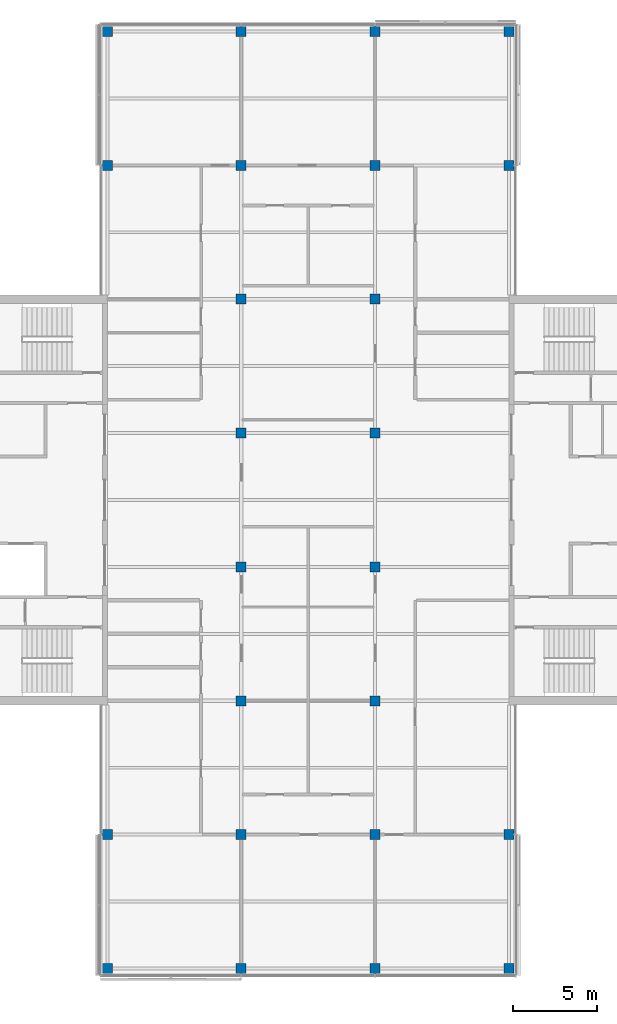
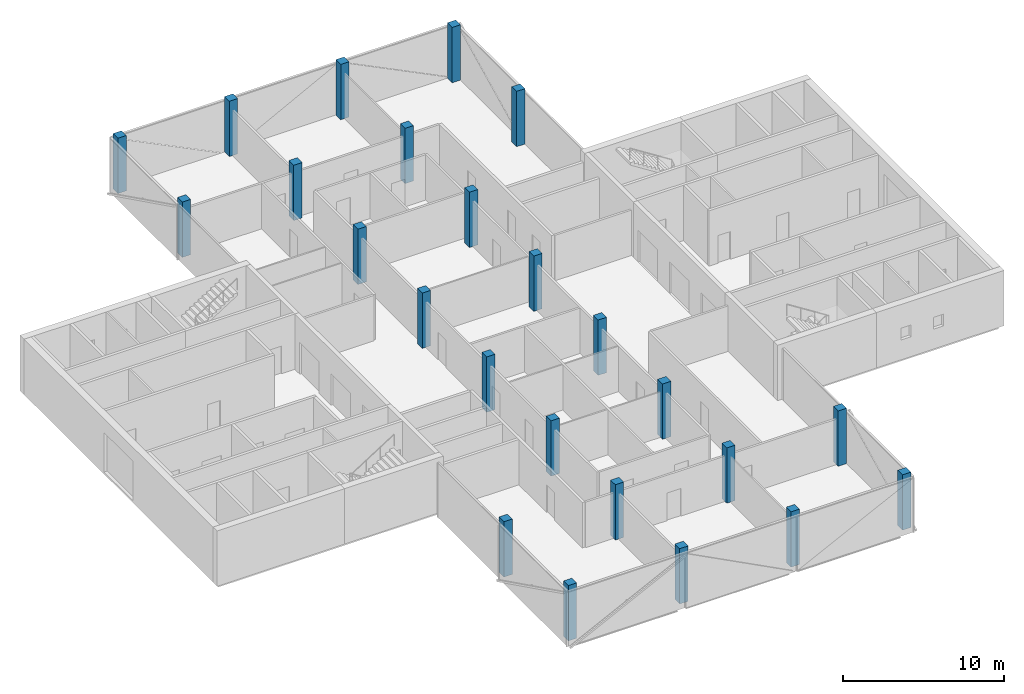
# One storey, part 1 of 16: 24 columns.
"""IFC4 building model written with IfcOpenShell, lengths in metres."""

from ifc_helpers import new_model, si_unit, direction, frame, origin, origin_2d, place, context, subcontext, project, spatial, rectangle, extrude, material, material_profile, profile_set, type_object, element, save


model = new_model("IFC4")

# Units and contexts
model_context = context("Model", 3, precision=1e-05, world=origin(), true_north=direction((0.0, 1.0)))
body_context = subcontext(model_context, "Body", "Model", "MODEL_VIEW")
ifc_project = project(units=[si_unit("LENGTHUNIT", "METRE"), si_unit("AREAUNIT", "SQUARE_METRE"), si_unit("VOLUMEUNIT", "CUBIC_METRE"), si_unit("PLANEANGLEUNIT", "RADIAN"), si_unit("MASSUNIT", "GRAM", prefix="KILO")], contexts=[model_context])

# Site, building, storey
site_placement = place(None, origin())
site = spatial("IfcSite", under=ifc_project, at=site_placement, CompositionType="ELEMENT")
building_placement = place(site_placement, origin())
building = spatial("IfcBuilding", under=site, at=building_placement, Name="Crosswind Convention Tower", CompositionType="ELEMENT")
storey_placement = place(building_placement, frame((0.0, 0.0, 340.699951171875)))
storey = spatial("IfcBuildingStorey", under=building, at=storey_placement, Name="L74", CompositionType="ELEMENT", Elevation=340.699951171875)

# Columns
ifc_material = material(Name="Concrete C60/75", Category="concrete")
ifc_material_profile = material_profile(ifc_material, rectangle(XDim=0.60009765625, YDim=0.60009765625, at=origin_2d()), Name="RC 600X600")
ifc_profile_set = profile_set([ifc_material_profile], Name="Concrete C60/75")
column_type = type_object("IfcColumnType", Name="Column RC 600X600", PredefinedType="COLUMN", material=ifc_profile_set)
for number, where, z_axis, x_axis, name in (
    (1, (113.0, 72.0, 0.0), (0.0, 0.0, 1.0), (1.0, 0.0, 0.0), "C16 L74 5/C"),
    (2, (113.0, 80.0, 0.0), (0.0, 0.0, 1.0), (1.0, 0.0, 0.0), "C16 L74 5/D"),
    (3, (113.0, 120.0, 0.0), (0.0, 0.0, 1.0), (1.0, 0.0, 0.0), "C16 L74 5/I"),
    (4, (113.0, 128.0, 0.0), (0.0, 0.0, 1.0), (1.0, 0.0, 0.0), "C16 L74 5/J"),
    (5, (121.0, 72.0, 0.0), (0.0, 0.0, 1.0), (1.0, 0.0, 0.0), "C16 L74 6/C"),
    (6, (121.0, 80.0, 0.0), (0.0, 0.0, 1.0), (1.0, 0.0, 0.0), "C16 L74 6/D"),
    (7, (121.0, 88.0, 0.0), (0.0, 0.0, 1.0), (1.0, 0.0, 0.0), "C16 L74 6/E"),
    (8, (121.0, 96.0, 0.0), (0.0, 0.0, 1.0), (1.0, 0.0, 0.0), "C16 L74 6/F"),
    (9, (121.0, 104.0, 0.0), (0.0, 0.0, 1.0), (1.0, 0.0, 0.0), "C16 L74 6/G"),
    (10, (121.0, 112.0, 0.0), (0.0, 0.0, 1.0), (1.0, 0.0, 0.0), "C16 L74 6/H"),
    (11, (121.0, 120.0, 0.0), (0.0, 0.0, 1.0), (1.0, 0.0, 0.0), "C16 L74 6/I"),
    (12, (121.0, 128.0, 0.0), (0.0, 0.0, 1.0), (1.0, 0.0, 0.0), "C16 L74 6/J"),
    (13, (129.0, 72.0, 0.0), (0.0, 0.0, 1.0), (1.0, 0.0, 0.0), "C16 L74 7/C"),
    (14, (129.0, 80.0, 0.0), (0.0, 0.0, 1.0), (1.0, 0.0, 0.0), "C16 L74 7/D"),
    (15, (129.0, 88.0, 0.0), (0.0, 0.0, 1.0), (1.0, 0.0, 0.0), "C16 L74 7/E"),
    (16, (129.0, 96.0, 0.0), (0.0, 0.0, 1.0), (1.0, 0.0, 0.0), "C16 L74 7/F"),
    (17, (129.0, 104.0, 0.0), (0.0, 0.0, 1.0), (1.0, 0.0, 0.0), "C16 L74 7/G"),
    (18, (129.0, 112.0, 0.0), (0.0, 0.0, 1.0), (1.0, 0.0, 0.0), "C16 L74 7/H"),
    (19, (129.0, 120.0, 0.0), (0.0, 0.0, 1.0), (1.0, 0.0, 0.0), "C16 L74 7/I"),
    (20, (129.0, 128.0, 0.0), (0.0, 0.0, 1.0), (1.0, 0.0, 0.0), "C16 L74 7/J"),
    (21, (137.0, 72.0, 0.0), (0.0, 0.0, 1.0), (1.0, 0.0, 0.0), "C16 L74 8/C"),
    (22, (137.0, 80.0, 0.0), (0.0, 0.0, 1.0), (1.0, 0.0, 0.0), "C16 L74 8/D"),
    (23, (137.0, 120.0, 0.0), (0.0, 0.0, 1.0), (1.0, 0.0, 0.0), "C16 L74 8/I"),
    (24, (137.0, 128.0, 0.0), (0.0, 0.0, 1.0), (1.0, 0.0, 0.0), "C16 L74 8/J"),
):
    element("IfcColumn", number, at=place(storey_placement, frame(where, z_axis=z_axis, x_axis=x_axis)), inside=storey, type_object=column_type, Name=name, PredefinedType="COLUMN", context=body_context, shape_type="SweptSolid", body=[
        extrude(rectangle(XDim=0.60009765625, YDim=0.60009765625, at=origin_2d()), origin(), (0.0, 0.0, 1.0), 4.199951171875),
    ])

save(model, "model.ifc")
